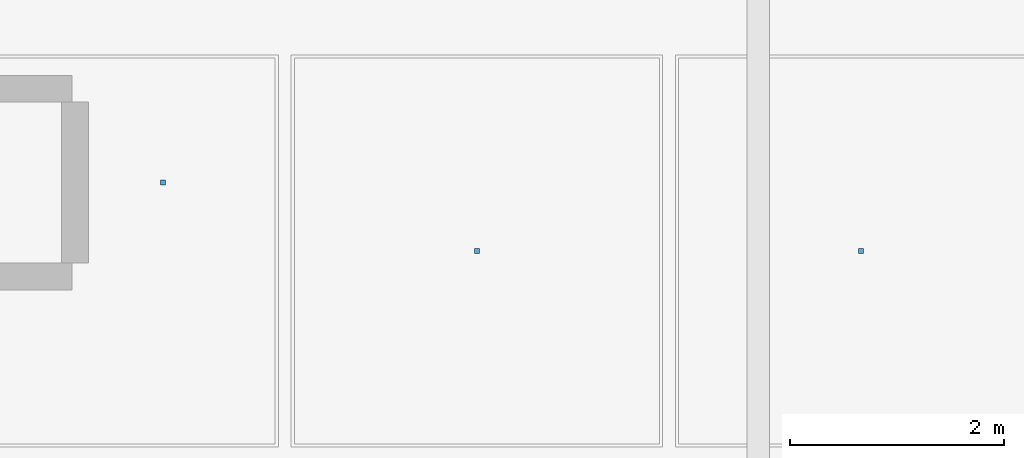
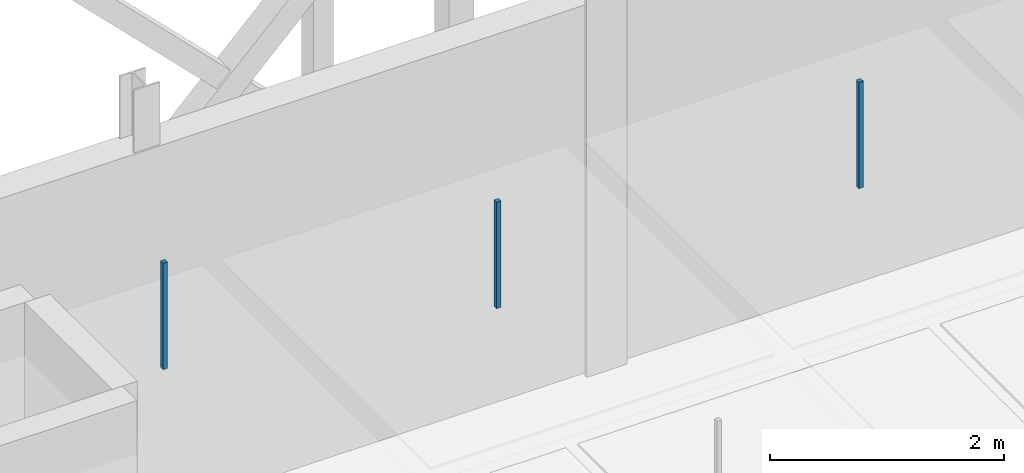
# One storey, part 97 of 140: 3 discrete accessories.
"""IFC4 building model written with IfcOpenShell, lengths in metres."""

from ifc_helpers import new_model, si_unit, direction, frame, origin, origin_2d, place, context, subcontext, project, spatial, rectangle, extrude, material, type_object, element, save


model = new_model("IFC4")

# Units and contexts
model_context = context("Model", 3, precision=1e-05, world=origin(), true_north=direction((0.0, 1.0)))
body_context = subcontext(model_context, "Body", "Model", "MODEL_VIEW")
ifc_project = project(units=[si_unit("LENGTHUNIT", "METRE"), si_unit("AREAUNIT", "SQUARE_METRE"), si_unit("VOLUMEUNIT", "CUBIC_METRE"), si_unit("PLANEANGLEUNIT", "RADIAN"), si_unit("MASSUNIT", "GRAM", prefix="KILO"), si_unit("THERMODYNAMICTEMPERATUREUNIT", "KELVIN"), si_unit("POWERUNIT", "WATT")], contexts=[model_context])

# Site, building, storey
site_placement = place(None, origin())
site = spatial("IfcSite", under=ifc_project, at=site_placement, CompositionType="ELEMENT")
building_placement = place(site_placement, origin())
building = spatial("IfcBuilding", under=site, at=building_placement, Name="Tallowbark Science Centre", CompositionType="ELEMENT")
storey_placement = place(building_placement, frame((0.0, 0.0, 9.89990234375)))
storey = spatial("IfcBuildingStorey", under=building, at=storey_placement, Name="L02", CompositionType="ELEMENT", Elevation=9.89990234375)

# Discrete accessories
ifc_material = material(Name="Galvanised Steel Grade C350L0 (350 MPa)", Category="steel")
discrete_accessory_type = type_object("IfcDiscreteAccessoryType", Name="ACC-CLG-HNG", PredefinedType="BRACKET", material=ifc_material)
for number, where, z_axis, x_axis, name in (
    (1, (61.94677734375, 38.25, 3.20947265625), (0.0, 0.0, 1.0), (1.0, 0.0, 0.0), "Ceiling Hanger Bracket L02-773"),
    (2, (64.875, 37.611083984375, 3.20947265625), (0.0, 0.0, 1.0), (1.0, 0.0, 0.0), "Ceiling Hanger Bracket L02-779"),
    (3, (68.458251953125, 37.611083984375, 3.20947265625), (0.0, 0.0, 1.0), (1.0, 0.0, 0.0), "Ceiling Hanger Bracket L02-785"),
):
    element("IfcDiscreteAccessory", number, at=place(storey_placement, frame(where, z_axis=z_axis, x_axis=x_axis)), inside=storey, type_object=discrete_accessory_type, Name=name, PredefinedType="BRACKET", context=body_context, shape_type="SweptSolid", body=[
        extrude(rectangle(XDim=0.044921875, YDim=0.044921875, at=origin_2d()), origin(), (0.0, 0.0, 1.0), 1.113525390625),
    ])

save(model, "model.ifc")
